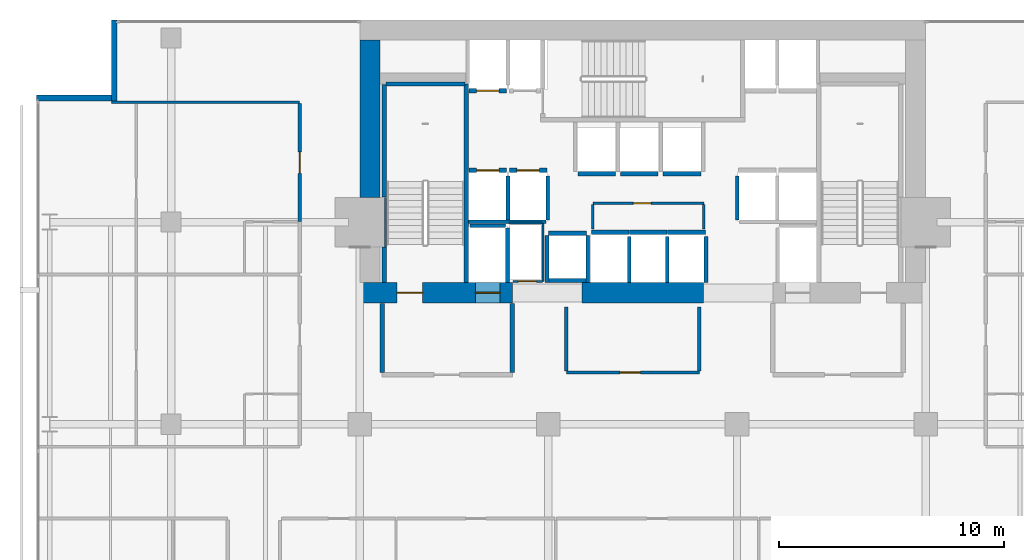
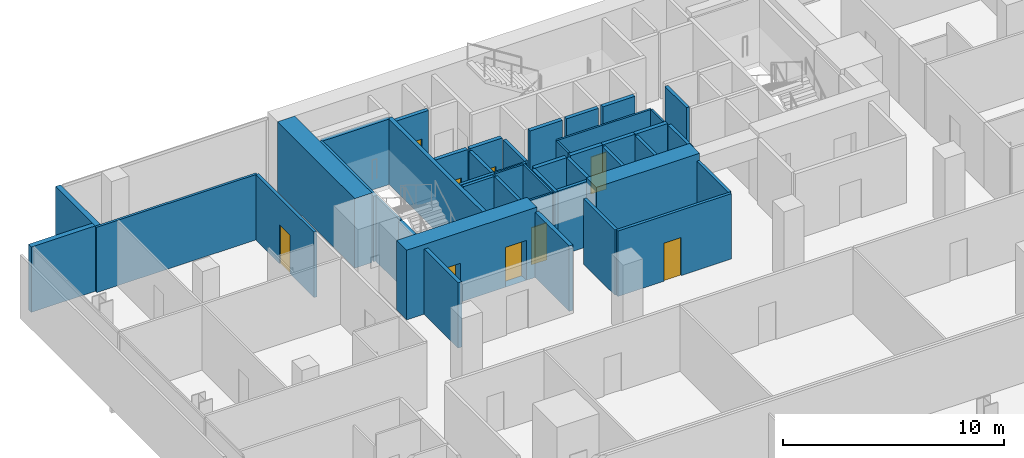
# One storey, part 36 of 40: 45 walls, 9 doors, 9 openings.
"""IFC4 building model written with IfcOpenShell, lengths in metres."""

from ifc_helpers import new_model, si_unit, direction, frame, frame_2d, origin, place, context, subcontext, project, spatial, rectangle, extrude, material, layer, layer_set, type_object, element, fill, save


model = new_model("IFC4")

# Units and contexts
model_context = context("Model", 3, precision=1e-05, world=origin(), true_north=direction((0.0, 1.0)))
body_context = subcontext(model_context, "Body", "Model", "MODEL_VIEW")
ifc_project = project(units=[si_unit("LENGTHUNIT", "METRE"), si_unit("AREAUNIT", "SQUARE_METRE"), si_unit("VOLUMEUNIT", "CUBIC_METRE"), si_unit("PLANEANGLEUNIT", "RADIAN"), si_unit("MASSUNIT", "GRAM", prefix="KILO")], contexts=[model_context])

# Site, building, storey
site_placement = place(None, origin())
site = spatial("IfcSite", under=ifc_project, at=site_placement, CompositionType="ELEMENT")
building_placement = place(site_placement, origin())
building = spatial("IfcBuilding", under=site, at=building_placement, Name="Maruvema Waterfront Hotel and Observation Tower", CompositionType="ELEMENT")
storey_placement = place(building_placement, frame((0.0, 0.0, 30.800048828125)))
storey = spatial("IfcBuildingStorey", under=building, at=storey_placement, Name="L06", CompositionType="ELEMENT", Elevation=30.800048828125)

# Wall, opening, door
ifc_material_1 = material(Name="Twin-stud acoustic gypsum drywall", Category="gypsum")
ifc_layer_1 = layer(ifc_material_1, 0.14990234375, Name="Acoustic Corridor and Suite Demising Wall 150 mm")
ifc_layer_set_1 = layer_set([ifc_layer_1], Name="Twin-stud acoustic gypsum drywall")
wall_type_1 = type_object("IfcWallType", Name="Acoustic Corridor and Suite Demising Wall 150 mm", PredefinedType="PARTITIONING", material=ifc_layer_set_1)
wall_1_placement = place(storey_placement, frame((34.39990234375, 38.300048828125, 0.0), z_axis=(0.0, 0.0, 1.0), x_axis=(1.0, 0.0, 0.0)))
wall_1 = element("IfcWall", 1, at=wall_1_placement, inside=storey, type_object=wall_type_1, Name="L06 Core Apron K0 South 013", PredefinedType="PARTITIONING", context=body_context, shape_type="SweptSolid", body=[
    extrude(rectangle(XDim=5.920166015625, YDim=0.14990234375, at=frame_2d((2.9599609375, 0.0))), origin(), (0.0, 0.0, 1.0), 3.60986328125),
])
opening_1_placement = place(wall_1_placement, frame((2.39990234375, 0.0, 0.0)))
opening_1 = element("IfcOpeningElement", 2, at=opening_1_placement, cuts=wall_1, Name="Opening DR-090", PredefinedType="OPENING", context=body_context, shape_type="SweptSolid", body=[
    extrude(rectangle(XDim=0.89990234375, YDim=2.10009765625, at=frame_2d((0.449951171875, 1.050048828125))), frame((0.0, 0.0849609375, 0.0), z_axis=(0.0, -1.0, 0.0), x_axis=(1.0, 0.0, 0.0)), (0.0, 0.0, 1.0), 0.169921875),
])
ifc_material_2 = material(Name="Solid-core lacquered timber leaf", Category="wood")
door_type_1 = type_object("IfcDoorType", Name="Accessible Toilet and Room Door 900x2100 mm", OperationType="NOTDEFINED", PredefinedType="DOOR", material=ifc_material_2)
door_1_placement = place(opening_1_placement, frame((0.89990234375, 0.0, 0.0), z_axis=(0.0, 0.0, 1.0), x_axis=(-1.0, 0.0, 0.0)))
door_1 = element("IfcDoor", 3, at=door_1_placement, inside=storey, type_object=door_type_1, Name="L06 Core Valet Room Door", OperationType="SINGLE_SWING_RIGHT", OverallHeight=2.10009765625, OverallWidth=0.89990234375, PredefinedType="DOOR", context=body_context, shape_type="SweptSolid", body=[
    extrude(rectangle(XDim=0.89990234375, YDim=2.10009765625, at=frame_2d((0.449951171875, 1.050048828125))), frame((0.0, 0.02490234375, 0.0), z_axis=(0.0, -1.0, 0.0), x_axis=(1.0, 0.0, 0.0)), (0.0, 0.0, 1.0), 0.050048828125),
])
fill(opening_1, door_1)

# Walls
for number, where, z_axis, x_axis, name in (
    (4, (34.39990234375, 38.3798828125, 0.0), (0.0, 0.0, 1.0), (0.0, 1.0, 0.0), "L06 Core Apron K0 West 014"),
    (5, (40.320068359375, 38.3798828125, 0.0), (0.0, 0.0, 1.0), (0.0, 1.0, 0.0), "L06 Core Apron K0 East 015"),
):
    element("IfcWall", number, at=place(storey_placement, frame(where, z_axis=z_axis, x_axis=x_axis)), inside=storey, type_object=wall_type_1, Name=name, PredefinedType="PARTITIONING", context=body_context, shape_type="SweptSolid", body=[
        extrude(rectangle(XDim=2.840087890625, YDim=0.14990234375, at=frame_2d((1.419921875, 0.0))), origin(), (0.0, 0.0, 1.0), 3.60986328125),
    ])

# Wall, opening, door
wall_2_placement = place(storey_placement, frame((22.52001953125, 45.018798828125, 0.0), z_axis=(0.0, 0.0, 1.0), x_axis=(0.0, 1.0, 0.0)))
wall_2 = element("IfcWall", 6, at=wall_2_placement, inside=storey, type_object=wall_type_1, Name="L06 Room L06-NW2 Corridor Wall 134", PredefinedType="PARTITIONING", context=body_context, shape_type="SweptSolid", body=[
    extrude(rectangle(XDim=5.2587890625, YDim=0.14990234375, at=frame_2d((2.62939453125, 0.0))), origin(), (0.0, 0.0, 1.0), 3.60986328125),
])
opening_2_placement = place(wall_2_placement, frame((2.154296875, 0.0, 0.0)))
opening_2 = element("IfcOpeningElement", 7, at=opening_2_placement, cuts=wall_2, Name="Opening DR-095", PredefinedType="OPENING", context=body_context, shape_type="SweptSolid", body=[
    extrude(rectangle(XDim=0.949951171875, YDim=2.14990234375, at=frame_2d((0.47509765625, 1.074951171875))), frame((0.0, 0.0849609375, 0.0), z_axis=(0.0, -1.0, 0.0), x_axis=(1.0, 0.0, 0.0)), (0.0, 0.0, 1.0), 0.169921875),
])
ifc_material_3 = material(Name="Acoustic solid-core hardwood timber leaf", Category="wood")
door_type_2 = type_object("IfcDoorType", Name="Guestroom Entrance Fire Door 950x2150 mm", OperationType="NOTDEFINED", PredefinedType="DOOR", material=ifc_material_3)
door_2_placement = place(opening_2_placement, origin())
door_2 = element("IfcDoor", 8, at=door_2_placement, inside=storey, type_object=door_type_2, Name="L06 Room L06-NW2 Entrance Door", OperationType="SINGLE_SWING_RIGHT", OverallHeight=2.14990234375, OverallWidth=0.949951171875, PredefinedType="DOOR", context=body_context, shape_type="SweptSolid", body=[
    extrude(rectangle(XDim=0.949951171875, YDim=2.14990234375, at=frame_2d((0.47509765625, 1.074951171875))), frame((0.0, 0.02490234375, 0.0), z_axis=(0.0, -1.0, 0.0), x_axis=(1.0, 0.0, 0.0)), (0.0, 0.0, 1.0), 0.050048828125),
])
fill(opening_2, door_2)

# Walls
ifc_material_4 = material(Name="Precast concrete C45/55", Category="concrete")
ifc_layer_2 = layer(ifc_material_4, 0.199951171875, Name="Core Shaft and Stairwell Enclosure Wall 200 mm")
ifc_layer_set_2 = layer_set([ifc_layer_2], Name="Precast concrete C45/55")
wall_type_2 = type_object("IfcWallType", Name="Core Shaft and Stairwell Enclosure Wall 200 mm", PredefinedType="SOLIDWALL", material=ifc_layer_set_2)
wall_3_placement = place(storey_placement, frame((29.949951171875, 42.300048828125, 0.0), z_axis=(0.0, 0.0, 1.0), x_axis=(0.0, 1.0, 0.0)))
element("IfcWall", 9, at=wall_3_placement, inside=storey, type_object=wall_type_2, Name="L06 Stairwell ST-01 East Shaft Wall", PredefinedType="SOLIDWALL", context=body_context, shape_type="SweptSolid", body=[
    extrude(rectangle(XDim=8.849853515625, YDim=0.199951171875, at=frame_2d((4.4248046875, 0.0))), origin(), (0.0, 0.0, 1.0), 3.60986328125),
])
wall_4_placement = place(storey_placement, frame((26.300048828125, 42.300048828125, 0.0), z_axis=(0.0, 0.0, 1.0), x_axis=(0.0, 1.0, 0.0)))
element("IfcWall", 10, at=wall_4_placement, inside=storey, type_object=wall_type_2, Name="L06 Stairwell ST-01 Shaft Lining Wall", PredefinedType="SOLIDWALL", context=body_context, shape_type="SweptSolid", body=[
    extrude(rectangle(XDim=1.579833984375, YDim=0.199951171875, at=frame_2d((0.7900390625, 0.0))), origin(), (0.0, 0.0, 1.0), 3.60986328125),
])
wall_5_placement = place(storey_placement, frame((26.300048828125, 46.1201171875, 0.0), z_axis=(0.0, 0.0, 1.0), x_axis=(0.0, 1.0, 0.0)))
element("IfcWall", 11, at=wall_5_placement, inside=storey, type_object=wall_type_2, Name="L06 Stairwell ST-01 Shaft Lining Wall", PredefinedType="SOLIDWALL", context=body_context, shape_type="SweptSolid", body=[
    extrude(rectangle(XDim=5.0, YDim=0.199951171875, at=frame_2d((2.5, 0.0))), origin(), (0.0, 0.0, 1.0), 3.60986328125),
])
wall_6_placement = place(storey_placement, frame((26.3798828125, 51.14990234375, 0.0), z_axis=(0.0, 0.0, 1.0), x_axis=(1.0, 0.0, 0.0)))
element("IfcWall", 12, at=wall_6_placement, inside=storey, type_object=wall_type_2, Name="L06 Stairwell ST-01 Shaft Lining Wall", PredefinedType="SOLIDWALL", context=body_context, shape_type="SweptSolid", body=[
    extrude(rectangle(XDim=3.5, YDim=0.199951171875, at=frame_2d((1.75, 0.0))), origin(), (0.0, 0.0, 1.0), 3.60986328125),
])

# Wall, opening, door
wall_7_placement = place(storey_placement, frame((30.06005859375, 47.300048828125, 0.0), z_axis=(0.0, 0.0, 1.0), x_axis=(1.0, 0.0, 0.0)))
wall_7 = element("IfcWall", 13, at=wall_7_placement, inside=storey, type_object=wall_type_2, Name="L06 Lift LF-01 Hoistway Front Wall", PredefinedType="SOLIDWALL", context=body_context, shape_type="SweptSolid", body=[
    extrude(rectangle(XDim=1.679931640625, YDim=0.199951171875, at=frame_2d((0.83984375, 0.0))), origin(), (0.0, 0.0, 1.0), 3.60986328125),
])
opening_3_placement = place(wall_7_placement, frame((0.340087890625, 0.0, 0.0)))
opening_3 = element("IfcOpeningElement", 14, at=opening_3_placement, cuts=wall_7, Name="Opening LD-01", PredefinedType="OPENING", context=body_context, shape_type="SweptSolid", body=[
    extrude(rectangle(XDim=1.0, YDim=2.14990234375, at=frame_2d((0.5, 1.074951171875))), frame((0.0, 0.10986328125, 0.0), z_axis=(0.0, -1.0, 0.0), x_axis=(1.0, 0.0, 0.0)), (0.0, 0.0, 1.0), 0.219970703125),
])
ifc_material_5 = material(Name="Brushed stainless steel Grade 316", Category="steel")
door_type_3 = type_object("IfcDoorType", Name="Passenger Lift Sliding Landing Door 1000x2150 mm", OperationType="SLIDING_TO_LEFT", PredefinedType="DOOR", material=ifc_material_5)
door_3_placement = place(opening_3_placement, origin())
door_3 = element("IfcDoor", 15, at=door_3_placement, inside=storey, type_object=door_type_3, Name="L06 Lift LF-01 Sliding Landing Door", OperationType="SLIDING_TO_LEFT", OverallHeight=2.14990234375, OverallWidth=1.0, PredefinedType="DOOR", context=body_context, shape_type="SweptSolid", body=[
    extrude(rectangle(XDim=1.0, YDim=2.14990234375, at=frame_2d((0.5, 1.074951171875))), frame((0.0, 0.02490234375, 0.0), z_axis=(0.0, -1.0, 0.0), x_axis=(1.0, 0.0, 0.0)), (0.0, 0.0, 1.0), 0.050048828125),
])
fill(opening_3, door_3)

wall_8_placement = place(storey_placement, frame((31.860107421875, 47.300048828125, 0.0), z_axis=(0.0, 0.0, 1.0), x_axis=(1.0, 0.0, 0.0)))
wall_8 = element("IfcWall", 16, at=wall_8_placement, inside=storey, type_object=wall_type_2, Name="L06 Lift LF-02 Hoistway Front Wall", PredefinedType="SOLIDWALL", context=body_context, shape_type="SweptSolid", body=[
    extrude(rectangle(XDim=1.679931640625, YDim=0.199951171875, at=frame_2d((0.83984375, 0.0))), origin(), (0.0, 0.0, 1.0), 3.60986328125),
])
opening_4_placement = place(wall_8_placement, frame((0.340087890625, 0.0, 0.0)))
opening_4 = element("IfcOpeningElement", 17, at=opening_4_placement, cuts=wall_8, Name="Opening LD-01", PredefinedType="OPENING", context=body_context, shape_type="SweptSolid", body=[
    extrude(rectangle(XDim=1.0, YDim=2.14990234375, at=frame_2d((0.5, 1.074951171875))), frame((0.0, 0.10986328125, 0.0), z_axis=(0.0, -1.0, 0.0), x_axis=(1.0, 0.0, 0.0)), (0.0, 0.0, 1.0), 0.219970703125),
])
door_4_placement = place(opening_4_placement, origin())
door_4 = element("IfcDoor", 18, at=door_4_placement, inside=storey, type_object=door_type_3, Name="L06 Lift LF-02 Sliding Landing Door", OperationType="SLIDING_TO_LEFT", OverallHeight=2.14990234375, OverallWidth=1.0, PredefinedType="DOOR", context=body_context, shape_type="SweptSolid", body=[
    extrude(rectangle(XDim=1.0, YDim=2.14990234375, at=frame_2d((0.5, 1.074951171875))), frame((0.0, 0.02490234375, 0.0), z_axis=(0.0, -1.0, 0.0), x_axis=(1.0, 0.0, 0.0)), (0.0, 0.0, 1.0), 0.050048828125),
])
fill(opening_4, door_4)

wall_9_placement = place(storey_placement, frame((30.06005859375, 50.85009765625, 0.0), z_axis=(0.0, 0.0, 1.0), x_axis=(1.0, 0.0, 0.0)))
wall_9 = element("IfcWall", 19, at=wall_9_placement, inside=storey, type_object=wall_type_2, Name="L06 Lift LF-03 Hoistway Front Wall", PredefinedType="SOLIDWALL", context=body_context, shape_type="SweptSolid", body=[
    extrude(rectangle(XDim=1.679931640625, YDim=0.199951171875, at=frame_2d((0.83984375, 0.0))), origin(), (0.0, 0.0, 1.0), 3.60986328125),
])
opening_5_placement = place(wall_9_placement, frame((0.340087890625, 0.0, 0.0)))
opening_5 = element("IfcOpeningElement", 20, at=opening_5_placement, cuts=wall_9, Name="Opening LD-01", PredefinedType="OPENING", context=body_context, shape_type="SweptSolid", body=[
    extrude(rectangle(XDim=1.0, YDim=2.14990234375, at=frame_2d((0.5, 1.074951171875))), frame((0.0, 0.10986328125, 0.0), z_axis=(0.0, -1.0, 0.0), x_axis=(1.0, 0.0, 0.0)), (0.0, 0.0, 1.0), 0.219970703125),
])
door_5_placement = place(opening_5_placement, frame((1.0, 0.0, 0.0), z_axis=(0.0, 0.0, 1.0), x_axis=(-1.0, 0.0, 0.0)))
door_5 = element("IfcDoor", 21, at=door_5_placement, inside=storey, type_object=door_type_3, Name="L06 Lift LF-03 Sliding Landing Door", OperationType="SLIDING_TO_LEFT", OverallHeight=2.14990234375, OverallWidth=1.0, PredefinedType="DOOR", context=body_context, shape_type="SweptSolid", body=[
    extrude(rectangle(XDim=1.0, YDim=2.14990234375, at=frame_2d((0.5, 1.074951171875))), frame((0.0, 0.02490234375, 0.0), z_axis=(0.0, -1.0, 0.0), x_axis=(1.0, 0.0, 0.0)), (0.0, 0.0, 1.0), 0.050048828125),
])
fill(opening_5, door_5)

# Walls
for number, where, z_axis, x_axis, name in (
    (22, (35.510009765625, 44.550048828125, 0.0), (0.0, 0.0, 1.0), (1.0, 0.0, 0.0), "L06 Lift LF-09 Hoistway Front Wall"),
    (23, (37.2099609375, 44.550048828125, 0.0), (0.0, 0.0, 1.0), (1.0, 0.0, 0.0), "L06 Lift LF-10 Hoistway Front Wall"),
):
    element("IfcWall", number, at=place(storey_placement, frame(where, z_axis=z_axis, x_axis=x_axis)), inside=storey, type_object=wall_type_2, Name=name, PredefinedType="SOLIDWALL", context=body_context, shape_type="SweptSolid", body=[
        extrude(rectangle(XDim=1.679931640625, YDim=0.199951171875, at=frame_2d((0.83984375, 0.0))), origin(), (0.0, 0.0, 1.0), 3.60986328125),
    ])
for number, where, z_axis, x_axis, name in (
    (24, (38.909912109375, 44.550048828125, 0.0), (0.0, 0.0, 1.0), (1.0, 0.0, 0.0), "L06 Lift LF-11 Hoistway Front Wall"),
    (25, (34.909912109375, 47.14990234375, 0.0), (0.0, 0.0, 1.0), (1.0, 0.0, 0.0), "L06 Lift LF-12 Hoistway Front Wall"),
):
    element("IfcWall", number, at=place(storey_placement, frame(where, z_axis=z_axis, x_axis=x_axis)), inside=storey, type_object=wall_type_2, Name=name, PredefinedType="SOLIDWALL", context=body_context, shape_type="SweptSolid", body=[
        extrude(rectangle(XDim=1.68017578125, YDim=0.199951171875, at=frame_2d((0.840087890625, 0.0))), origin(), (0.0, 0.0, 1.0), 3.60986328125),
    ])
for number, where, z_axis, x_axis, name in (
    (26, (36.81005859375, 47.14990234375, 0.0), (0.0, 0.0, 1.0), (1.0, 0.0, 0.0), "L06 Lift LF-13 Hoistway Front Wall"),
    (27, (38.7099609375, 47.14990234375, 0.0), (0.0, 0.0, 1.0), (1.0, 0.0, 0.0), "L06 Lift LF-14 Hoistway Front Wall"),
    (28, (33.610107421875, 44.5, 0.0), (0.0, 0.0, 1.0), (1.0, 0.0, 0.0), "L06 Lift LF-15 Hoistway Front Wall"),
):
    element("IfcWall", number, at=place(storey_placement, frame(where, z_axis=z_axis, x_axis=x_axis)), inside=storey, type_object=wall_type_2, Name=name, PredefinedType="SOLIDWALL", context=body_context, shape_type="SweptSolid", body=[
        extrude(rectangle(XDim=1.679931640625, YDim=0.199951171875, at=frame_2d((0.83984375, 0.0))), origin(), (0.0, 0.0, 1.0), 3.60986328125),
    ])

# Wall, openings, doors
ifc_material_6 = material(Name="Concrete C80/95", Category="concrete")
ifc_layer_3 = layer(ifc_material_6, 0.89990234375, Name="Core Shear Wall 900 mm")
ifc_layer_set_3 = layer_set([ifc_layer_3], Name="Concrete C80/95")
wall_type_3 = type_object("IfcWallType", Name="Core Shear Wall 900 mm", PredefinedType="SHEAR", material=ifc_layer_set_3)
wall_10_placement = place(storey_placement, frame((25.199951171875, 41.85009765625, 0.0), z_axis=(0.0, 0.0, 1.0), x_axis=(1.0, 0.0, 0.0)))
wall_10 = element("IfcWall", 29, at=wall_10_placement, inside=storey, type_object=wall_type_3, Name="L06 South-West Core Shear Wall", PredefinedType="SHEAR", context=body_context, shape_type="SweptSolid", body=[
    extrude(rectangle(XDim=6.800048828125, YDim=0.89990234375, at=frame_2d((3.39990234375, 0.0))), origin(), (0.0, 0.0, 1.0), 3.849853515625),
])
opening_6_placement = place(wall_10_placement, frame((1.64990234375, 0.0, 0.0)))
opening_6 = element("IfcOpeningElement", 30, at=opening_6_placement, cuts=wall_10, Name="Opening SD-01", PredefinedType="OPENING", context=body_context, shape_type="SweptSolid", body=[
    extrude(rectangle(XDim=1.14990234375, YDim=2.14990234375, at=frame_2d((0.574951171875, 1.074951171875))), frame((0.0, 0.4599609375, 0.0), z_axis=(0.0, -1.0, 0.0), x_axis=(1.0, 0.0, 0.0)), (0.0, 0.0, 1.0), 0.919921875),
])
opening_7_placement = place(wall_10_placement, frame((5.14990234375, 0.0, 0.0)))
opening_7 = element("IfcOpeningElement", 31, at=opening_7_placement, cuts=wall_10, Name="Opening LD-03", PredefinedType="OPENING", context=body_context, shape_type="SweptSolid", body=[
    extrude(rectangle(XDim=1.10009765625, YDim=2.199951171875, at=frame_2d((0.550048828125, 1.10009765625))), frame((0.0, 0.4599609375, 0.0), z_axis=(0.0, -1.0, 0.0), x_axis=(1.0, 0.0, 0.0)), (0.0, 0.0, 1.0), 0.919921875),
])
ifc_material_7 = material(Name="Fire-rated galvanised steel leaf", Category="steel")
door_type_4 = type_object("IfcDoorType", Name="Exit Stair Fire Door 1150x2150 mm", OperationType="NOTDEFINED", PredefinedType="DOOR", material=ifc_material_7)
door_6_placement = place(opening_6_placement, origin())
door_6 = element("IfcDoor", 32, at=door_6_placement, inside=storey, type_object=door_type_4, Name="L06 Exit Stair ST-01 Fire Door", OperationType="SINGLE_SWING_LEFT", OverallHeight=2.14990234375, OverallWidth=1.14990234375, PredefinedType="DOOR", context=body_context, shape_type="SweptSolid", body=[
    extrude(rectangle(XDim=1.14990234375, YDim=2.14990234375, at=frame_2d((0.574951171875, 1.074951171875))), frame((0.0, 0.02490234375, 0.0), z_axis=(0.0, -1.0, 0.0), x_axis=(1.0, 0.0, 0.0)), (0.0, 0.0, 1.0), 0.050048828125),
])
fill(opening_6, door_6)
ifc_material_8 = material(Name="Brushed stainless steel Grade 316", Category="steel")
door_type_5 = type_object("IfcDoorType", Name="Firefighting Lift Sliding Landing Door 1100x2200 mm", OperationType="SLIDING_TO_LEFT", PredefinedType="DOOR", material=ifc_material_8)
door_7_placement = place(opening_7_placement, frame((1.10009765625, 0.0, 0.0), z_axis=(0.0, 0.0, 1.0), x_axis=(-1.0, 0.0, 0.0)))
door_7 = element("IfcDoor", 33, at=door_7_placement, inside=storey, type_object=door_type_5, Name="L06 Firefighting Lift FL-01 Landing Door", OperationType="SLIDING_TO_LEFT", OverallHeight=2.199951171875, OverallWidth=1.10009765625, PredefinedType="DOOR", context=body_context, shape_type="SweptSolid", body=[
    extrude(rectangle(XDim=1.10009765625, YDim=2.199951171875, at=frame_2d((0.550048828125, 1.10009765625))), frame((0.0, 0.02490234375, 0.0), z_axis=(0.0, -1.0, 0.0), x_axis=(1.0, 0.0, 0.0)), (0.0, 0.0, 1.0), 0.050048828125),
])
fill(opening_7, door_7)

# Walls
wall_11_placement = place(storey_placement, frame((35.10009765625, 41.85009765625, 0.0), z_axis=(0.0, 0.0, 1.0), x_axis=(1.0, 0.0, 0.0)))
element("IfcWall", 34, at=wall_11_placement, inside=storey, type_object=wall_type_3, Name="L06 South-Central Core Shear Wall", PredefinedType="SHEAR", context=body_context, shape_type="SweptSolid", body=[
    extrude(rectangle(XDim=5.39990234375, YDim=0.89990234375, at=frame_2d((2.699951171875, 0.0))), origin(), (0.0, 0.0, 1.0), 3.849853515625),
])
wall_12_placement = place(storey_placement, frame((25.64990234375, 46.10009765625, 0.0), z_axis=(0.0, 0.0, 1.0), x_axis=(0.0, 1.0, 0.0)))
element("IfcWall", 35, at=wall_12_placement, inside=storey, type_object=wall_type_3, Name="L06 West-North Core Shear Wall", PredefinedType="SHEAR", context=body_context, shape_type="SweptSolid", body=[
    extrude(rectangle(XDim=7.0, YDim=0.89990234375, at=frame_2d((3.5, 0.0))), origin(), (0.0, 0.0, 1.0), 3.849853515625),
])

# Wall, opening, door
ifc_material_9 = material(Name="Moisture-resistant cement-board drywall", Category="gypsum")
ifc_layer_4 = layer(ifc_material_9, 0.10009765625, Name="En-Suite Moisture-Resistant Partition 100 mm")
ifc_layer_set_4 = layer_set([ifc_layer_4], Name="Moisture-resistant cement-board drywall")
wall_type_4 = type_object("IfcWallType", Name="En-Suite Moisture-Resistant Partition 100 mm", PredefinedType="PARTITIONING", material=ifc_layer_set_4)
wall_13_placement = place(storey_placement, frame((32.02001953125, 42.360107421875, 0.0), z_axis=(0.0, 0.0, 1.0), x_axis=(1.0, 0.0, 0.0)))
wall_13 = element("IfcWall", 36, at=wall_13_placement, inside=storey, type_object=wall_type_4, Name="L06 Telecom Riser South Wall 007", PredefinedType="PARTITIONING", context=body_context, shape_type="SweptSolid", body=[
    extrude(rectangle(XDim=1.320068359375, YDim=0.10009765625, at=frame_2d((0.66015625, 0.0))), origin(), (0.0, 0.0, 1.0), 3.60986328125),
])
opening_8_placement = place(wall_13_placement, frame((0.239990234375, 0.0, 0.0)))
opening_8 = element("IfcOpeningElement", 37, at=opening_8_placement, cuts=wall_13, Name="Opening DR-080", PredefinedType="OPENING", context=body_context, shape_type="SweptSolid", body=[
    extrude(rectangle(XDim=0.800048828125, YDim=2.050048828125, at=frame_2d((0.39990234375, 1.02490234375))), frame((0.0, 0.06005859375, 0.0), z_axis=(0.0, -1.0, 0.0), x_axis=(1.0, 0.0, 0.0)), (0.0, 0.0, 1.0), 0.1201171875),
])
ifc_material_10 = material(Name="Powder-coated steel access leaf", Category="steel")
door_type_6 = type_object("IfcDoorType", Name="Riser and Service Cupboard Door 800x2050 mm", OperationType="NOTDEFINED", PredefinedType="DOOR", material=ifc_material_10)
door_8_placement = place(opening_8_placement, frame((0.800048828125, 0.0, 0.0), z_axis=(0.0, 0.0, 1.0), x_axis=(-1.0, 0.0, 0.0)))
door_8 = element("IfcDoor", 38, at=door_8_placement, inside=storey, type_object=door_type_6, Name="L06 Telecom Riser Door", OperationType="SINGLE_SWING_RIGHT", OverallHeight=2.050048828125, OverallWidth=0.800048828125, PredefinedType="DOOR", context=body_context, shape_type="SweptSolid", body=[
    extrude(rectangle(XDim=0.800048828125, YDim=2.050048828125, at=frame_2d((0.39990234375, 1.02490234375))), frame((0.0, 0.02490234375, 0.0), z_axis=(0.0, -1.0, 0.0), x_axis=(1.0, 0.0, 0.0)), (0.0, 0.0, 1.0), 0.050048828125),
])
fill(opening_8, door_8)

# Walls
wall_14_placement = place(storey_placement, frame((31.840087890625, 44.9599609375, 0.0), z_axis=(0.0, 0.0, 1.0), x_axis=(1.0, 0.0, 0.0)))
element("IfcWall", 39, at=wall_14_placement, inside=storey, type_object=wall_type_4, Name="L06 Telecom Riser North Wall 008", PredefinedType="PARTITIONING", context=body_context, shape_type="SweptSolid", body=[
    extrude(rectangle(XDim=1.47998046875, YDim=0.10009765625, at=frame_2d((0.739990234375, 0.0))), origin(), (0.0, 0.0, 1.0), 3.60986328125),
])
wall_15_placement = place(storey_placement, frame((33.360107421875, 42.360107421875, 0.0), z_axis=(0.0, 0.0, 1.0), x_axis=(0.0, 1.0, 0.0)))
element("IfcWall", 40, at=wall_15_placement, inside=storey, type_object=wall_type_4, Name="L06 Telecom Riser East Wall 009", PredefinedType="PARTITIONING", context=body_context, shape_type="SweptSolid", body=[
    extrude(rectangle(XDim=2.579833984375, YDim=0.10009765625, at=frame_2d((1.2900390625, 0.0))), origin(), (0.0, 0.0, 1.0), 3.60986328125),
])

# Wall, opening, door
wall_16_placement = place(storey_placement, frame((35.580078125, 45.840087890625, 0.0), z_axis=(0.0, 0.0, 1.0), x_axis=(1.0, 0.0, 0.0)))
wall_16 = element("IfcWall", 41, at=wall_16_placement, inside=storey, type_object=wall_type_4, Name="L06 Core Closet K0 North 010", PredefinedType="PARTITIONING", context=body_context, shape_type="SweptSolid", body=[
    extrude(rectangle(XDim=4.93994140625, YDim=0.10009765625, at=frame_2d((2.469970703125, 0.0))), origin(), (0.0, 0.0, 1.0), 3.60986328125),
])
opening_9_placement = place(wall_16_placement, frame((1.800048828125, 0.0, 0.0)))
opening_9 = element("IfcOpeningElement", 42, at=opening_9_placement, cuts=wall_16, Name="Opening DR-080", PredefinedType="OPENING", context=body_context, shape_type="SweptSolid", body=[
    extrude(rectangle(XDim=0.800048828125, YDim=2.050048828125, at=frame_2d((0.39990234375, 1.02490234375))), frame((0.0, 0.06005859375, 0.0), z_axis=(0.0, -1.0, 0.0), x_axis=(1.0, 0.0, 0.0)), (0.0, 0.0, 1.0), 0.1201171875),
])
door_9_placement = place(opening_9_placement, origin())
door_9 = element("IfcDoor", 43, at=door_9_placement, inside=storey, type_object=door_type_6, Name="L06 Core Electrical Closet Door", OperationType="SINGLE_SWING_LEFT", OverallHeight=2.050048828125, OverallWidth=0.800048828125, PredefinedType="DOOR", context=body_context, shape_type="SweptSolid", body=[
    extrude(rectangle(XDim=0.800048828125, YDim=2.050048828125, at=frame_2d((0.39990234375, 1.02490234375))), frame((0.0, 0.02490234375, 0.0), z_axis=(0.0, -1.0, 0.0), x_axis=(1.0, 0.0, 0.0)), (0.0, 0.0, 1.0), 0.050048828125),
])
fill(opening_9, door_9)

# Walls
for number, where, z_axis, x_axis, name in (
    (44, (35.580078125, 44.699951171875, 0.0), (0.0, 0.0, 1.0), (0.0, 1.0, 0.0), "L06 Core Closet K0 West 011"),
    (45, (40.52001953125, 44.699951171875, 0.0), (0.0, 0.0, 1.0), (0.0, 1.0, 0.0), "L06 Core Closet K0 East 012"),
):
    element("IfcWall", number, at=place(storey_placement, frame(where, z_axis=z_axis, x_axis=x_axis)), inside=storey, type_object=wall_type_4, Name=name, PredefinedType="PARTITIONING", context=body_context, shape_type="SweptSolid", body=[
        extrude(rectangle(XDim=1.080078125, YDim=0.10009765625, at=frame_2d((0.5400390625, 0.0))), origin(), (0.0, 0.0, 1.0), 3.60986328125),
    ])
ifc_material_11 = material(Name="Precast concrete C45/55 with honed Pernambuco granite facing", Category="masonry")
ifc_layer_5 = layer(ifc_material_11, 0.260009765625, Name="Exterior Granite Clad Spandrel and Pier Wall 260 mm")
ifc_layer_set_5 = layer_set([ifc_layer_5], Name="Precast concrete C45/55 with honed Pernambuco granite facing")
wall_type_5 = type_object("IfcWallType", Name="Exterior Granite Clad Spandrel and Pier Wall 260 mm", PredefinedType="SOLIDWALL", material=ifc_layer_set_5)
wall_17_placement = place(storey_placement, frame((14.27001953125, 50.39990234375, 0.0), z_axis=(0.0, 0.0, 1.0), x_axis=(0.0, 1.0, 0.0)))
element("IfcWall", 46, at=wall_17_placement, inside=storey, type_object=wall_type_5, Name="L06 Corner Notch Granite Pier Wall NW1", PredefinedType="SOLIDWALL", context=body_context, shape_type="SweptSolid", body=[
    extrude(rectangle(XDim=3.60009765625, YDim=0.260009765625, at=frame_2d((1.800048828125, 0.0))), origin(), (0.0, 0.0, 1.0), 3.60986328125),
])
wall_18_placement = place(storey_placement, frame((10.800048828125, 50.530029296875, 0.0), z_axis=(0.0, 0.0, 1.0), x_axis=(1.0, 0.0, 0.0)))
element("IfcWall", 47, at=wall_18_placement, inside=storey, type_object=wall_type_5, Name="L06 Corner Notch Granite Pier Wall NW2", PredefinedType="SOLIDWALL", context=body_context, shape_type="SweptSolid", body=[
    extrude(rectangle(XDim=3.599853515625, YDim=0.260009765625, at=frame_2d((1.7998046875, 0.0))), origin(), (0.0, 0.0, 1.0), 3.60986328125),
])
ifc_material_12 = material(Name="Autoclaved cellular concrete blockwork", Category="masonry")
ifc_layer_6 = layer(ifc_material_12, 0.199951171875, Name="Fire Compartment Masonry Wall 200 mm")
ifc_layer_set_6 = layer_set([ifc_layer_6], Name="Autoclaved cellular concrete blockwork")
wall_type_6 = type_object("IfcWallType", Name="Fire Compartment Masonry Wall 200 mm", PredefinedType="PARTITIONING", material=ifc_layer_set_6)
for number, where, z_axis, x_axis, name in (
    (48, (26.199951171875, 38.31005859375, 0.0), (0.0, 0.0, 1.0), (0.0, 1.0, 0.0), "L06 FFL West West Wall 002"),
    (49, (32.0, 38.31005859375, 0.0), (0.0, 0.0, 1.0), (0.0, 1.0, 0.0), "L06 FFL West East Wall 003"),
):
    element("IfcWall", number, at=place(storey_placement, frame(where, z_axis=z_axis, x_axis=x_axis)), inside=storey, type_object=wall_type_6, Name=name, PredefinedType="PARTITIONING", context=body_context, shape_type="SweptSolid", body=[
        extrude(rectangle(XDim=3.06982421875, YDim=0.199951171875, at=frame_2d((1.534912109375, 0.0))), origin(), (0.0, 0.0, 1.0), 3.60986328125),
    ])
ifc_material_13 = material(Name="Acoustic gypsum plasterboard drywall", Category="gypsum")
ifc_layer_7 = layer(ifc_material_13, 0.125, Name="Guestroom Acoustic Demising Wall 125 mm")
ifc_layer_set_7 = layer_set([ifc_layer_7], Name="Acoustic gypsum plasterboard drywall")
wall_type_7 = type_object("IfcWallType", Name="Guestroom Acoustic Demising Wall 125 mm", PredefinedType="PARTITIONING", material=ifc_layer_set_7)
wall_19_placement = place(storey_placement, frame((14.139892578125, 50.33740234375, 0.0), z_axis=(0.0, 0.0, 1.0), x_axis=(1.0, 0.0, 0.0)))
element("IfcWall", 50, at=wall_19_placement, inside=storey, type_object=wall_type_7, Name="L06 NW Top End 119", PredefinedType="PARTITIONING", context=body_context, shape_type="SweptSolid", body=[
    extrude(rectangle(XDim=8.380126953125, YDim=0.125, at=frame_2d((4.18994140625, 0.0))), origin(), (0.0, 0.0, 1.0), 3.60986328125),
])
ifc_material_14 = material(Name="Precast concrete C45/55", Category="concrete")
ifc_layer_8 = layer(ifc_material_14, 0.159912109375, Name="Lift Hoistway Divider Wall 160 mm")
ifc_layer_set_8 = layer_set([ifc_layer_8], Name="Precast concrete C45/55")
wall_type_8 = type_object("IfcWallType", Name="Lift Hoistway Divider Wall 160 mm", PredefinedType="SOLIDWALL", material=ifc_layer_set_8)
wall_20_placement = place(storey_placement, frame((30.10009765625, 44.830078125, 0.0), z_axis=(0.0, 0.0, 1.0), x_axis=(1.0, 0.0, 0.0)))
element("IfcWall", 51, at=wall_20_placement, inside=storey, type_object=wall_type_8, Name="L06 Lift FL-01 Rear Hoistway Wall", PredefinedType="SOLIDWALL", context=body_context, shape_type="SweptSolid", body=[
    extrude(rectangle(XDim=1.599853515625, YDim=0.159912109375, at=frame_2d((0.7998046875, 0.0))), origin(), (0.0, 0.0, 1.0), 3.60986328125),
])
wall_21_placement = place(storey_placement, frame((31.780029296875, 42.300048828125, 0.0), z_axis=(0.0, 0.0, 1.0), x_axis=(0.0, 1.0, 0.0)))
element("IfcWall", 52, at=wall_21_placement, inside=storey, type_object=wall_type_8, Name="L06 Lift FL-01 Inner Hoistway Wall", PredefinedType="SOLIDWALL", context=body_context, shape_type="SweptSolid", body=[
    extrude(rectangle(XDim=2.43994140625, YDim=0.159912109375, at=frame_2d((1.219970703125, 0.0))), origin(), (0.0, 0.0, 1.0), 3.60986328125),
])
for number, where, z_axis, x_axis, name in (
    (53, (31.800048828125, 45.10009765625, 0.0), (0.0, 0.0, 1.0), (0.0, 1.0, 0.0), "L06 Hoistway Divider Wall"),
    (54, (33.580078125, 45.10009765625, 0.0), (0.0, 0.0, 1.0), (0.0, 1.0, 0.0), "L06 Hoistway Divider Wall"),
):
    element("IfcWall", number, at=place(storey_placement, frame(where, z_axis=z_axis, x_axis=x_axis)), inside=storey, type_object=wall_type_8, Name=name, PredefinedType="SOLIDWALL", context=body_context, shape_type="SweptSolid", body=[
        extrude(rectangle(XDim=1.949951171875, YDim=0.159912109375, at=frame_2d((0.97509765625, 0.0))), origin(), (0.0, 0.0, 1.0), 3.60986328125),
    ])
wall_22_placement = place(storey_placement, frame((30.050048828125, 45.010009765625, 0.0), z_axis=(0.0, 0.0, 1.0), x_axis=(1.0, 0.0, 0.0)))
element("IfcWall", 55, at=wall_22_placement, inside=storey, type_object=wall_type_8, Name="L06 Hoistway Divider Wall", PredefinedType="SOLIDWALL", context=body_context, shape_type="SweptSolid", body=[
    extrude(rectangle(XDim=3.449951171875, YDim=0.159912109375, at=frame_2d((1.72509765625, 0.0))), origin(), (0.0, 0.0, 1.0), 3.60986328125),
])
wall_23_placement = place(storey_placement, frame((42.02001953125, 45.10009765625, 0.0), z_axis=(0.0, 0.0, 1.0), x_axis=(0.0, 1.0, 0.0)))
element("IfcWall", 56, at=wall_23_placement, inside=storey, type_object=wall_type_8, Name="L06 Hoistway Divider Wall", PredefinedType="SOLIDWALL", context=body_context, shape_type="SweptSolid", body=[
    extrude(rectangle(XDim=1.949951171875, YDim=0.159912109375, at=frame_2d((0.97509765625, 0.0))), origin(), (0.0, 0.0, 1.0), 3.60986328125),
])
for number, where, z_axis, x_axis, name in (
    (57, (37.199951171875, 42.300048828125, 0.0), (0.0, 0.0, 1.0), (0.0, 1.0, 0.0), "L06 Hoistway Divider Wall"),
    (58, (38.89990234375, 42.300048828125, 0.0), (0.0, 0.0, 1.0), (0.0, 1.0, 0.0), "L06 Hoistway Divider Wall"),
    (59, (40.6201171875, 42.300048828125, 0.0), (0.0, 0.0, 1.0), (0.0, 1.0, 0.0), "L06 Hoistway Divider Wall"),
):
    element("IfcWall", number, at=place(storey_placement, frame(where, z_axis=z_axis, x_axis=x_axis)), inside=storey, type_object=wall_type_8, Name=name, PredefinedType="SOLIDWALL", context=body_context, shape_type="SweptSolid", body=[
        extrude(rectangle(XDim=2.050048828125, YDim=0.159912109375, at=frame_2d((1.02490234375, 0.0))), origin(), (0.0, 0.0, 1.0), 3.60986328125),
    ])
for number, where, z_axis, x_axis, name in (
    (60, (33.5400390625, 42.300048828125, 0.0), (0.0, 0.0, 1.0), (0.0, 1.0, 0.0), "L06 Hoistway Divider Wall"),
    (61, (35.360107421875, 42.300048828125, 0.0), (0.0, 0.0, 1.0), (0.0, 1.0, 0.0), "L06 Hoistway Divider Wall"),
):
    element("IfcWall", number, at=place(storey_placement, frame(where, z_axis=z_axis, x_axis=x_axis)), inside=storey, type_object=wall_type_8, Name=name, PredefinedType="SOLIDWALL", context=body_context, shape_type="SweptSolid", body=[
        extrude(rectangle(XDim=2.099853515625, YDim=0.159912109375, at=frame_2d((1.0498046875, 0.0))), origin(), (0.0, 0.0, 1.0), 3.60986328125),
    ])
wall_24_placement = place(storey_placement, frame((33.6201171875, 42.39990234375, 0.0), z_axis=(0.0, 0.0, 1.0), x_axis=(1.0, 0.0, 0.0)))
element("IfcWall", 62, at=wall_24_placement, inside=storey, type_object=wall_type_8, Name="L06 Hoistway Divider Wall", PredefinedType="SOLIDWALL", context=body_context, shape_type="SweptSolid", body=[
    extrude(rectangle(XDim=1.659912109375, YDim=0.159912109375, at=frame_2d((0.830078125, 0.0))), origin(), (0.0, 0.0, 1.0), 3.60986328125),
])
ifc_material_15 = material(Name="Precast concrete C45/55", Category="concrete")
ifc_layer_9 = layer(ifc_material_15, 0.10009765625, Name="Stairwell Stringer Cheek Wall 100 mm")
ifc_layer_set_9 = layer_set([ifc_layer_9], Name="Precast concrete C45/55")
wall_type_9 = type_object("IfcWallType", Name="Stairwell Stringer Cheek Wall 100 mm", PredefinedType="SOLIDWALL", material=ifc_layer_set_9)
wall_25_placement = place(storey_placement, frame((26.35205078125, 43.89990234375, 0.0), z_axis=(0.0, 0.0, 1.0), x_axis=(0.0, 1.0, 0.0)))
element("IfcWall", 63, at=wall_25_placement, inside=storey, type_object=wall_type_9, Name="L06 Stairwell ST-01 Mega-Column Cheek Wall", PredefinedType="SOLIDWALL", context=body_context, shape_type="SweptSolid", body=[
    extrude(rectangle(XDim=2.2001953125, YDim=0.10009765625, at=frame_2d((1.10009765625, 0.0))), origin(), (0.0, 0.0, 1.0), 3.60986328125),
])

save(model, "model.ifc")
